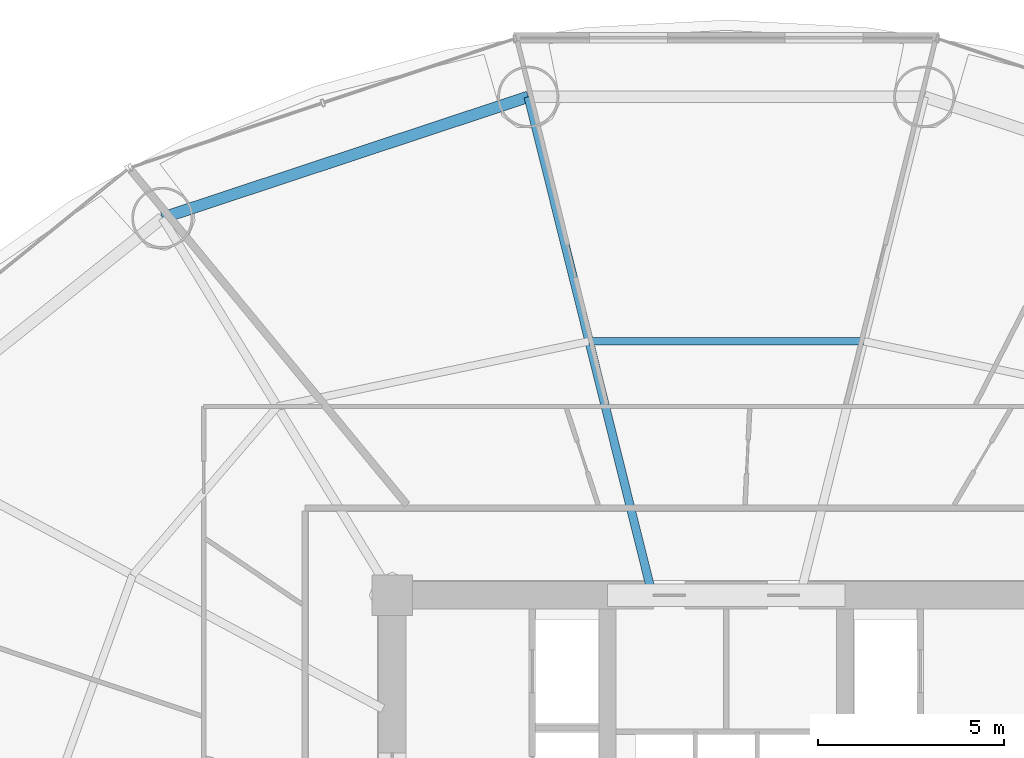
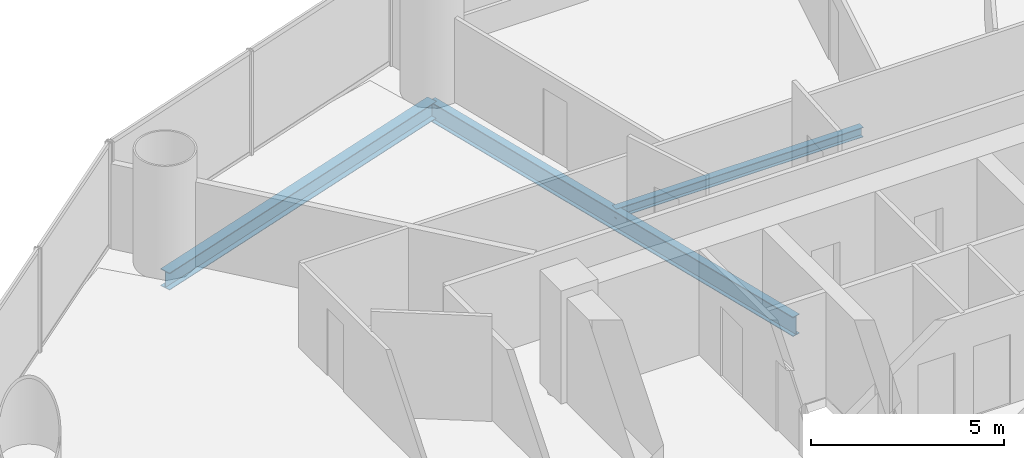
# One storey, part 15 of 28: 3 beams.
"""IFC4 building model written with IfcOpenShell, lengths in metres."""

from ifc_helpers import new_model, si_unit, direction, frame, origin, origin_2d, place, context, subcontext, project, spatial, i_section, extrude, material, material_profile, profile_set, type_object, element, save


model = new_model("IFC4")

# Units and contexts
model_context = context("Model", 3, precision=1e-05, world=origin(), true_north=direction((-0.2419218956, 0.970295726276)))
body_context = subcontext(model_context, "Body", "Model", "MODEL_VIEW")
ifc_project = project(units=[si_unit("LENGTHUNIT", "METRE"), si_unit("AREAUNIT", "SQUARE_METRE"), si_unit("VOLUMEUNIT", "CUBIC_METRE"), si_unit("PLANEANGLEUNIT", "RADIAN"), si_unit("MASSUNIT", "GRAM", prefix="KILO")], contexts=[model_context])

# Site, building, storey
site_placement = place(None, origin())
site = spatial("IfcSite", under=ifc_project, at=site_placement, CompositionType="ELEMENT")
building_placement = place(site_placement, origin())
building = spatial("IfcBuilding", under=site, at=building_placement, Name="Cobrevalo Terracotta Tower", CompositionType="ELEMENT")
storey_placement = place(building_placement, frame((0.0, 0.0, 34.800048828125)))
storey = spatial("IfcBuildingStorey", under=building, at=storey_placement, Name="L08", CompositionType="ELEMENT", Elevation=34.800048828125)

# Beams
ifc_material = material(Name="Steel S355", Category="steel")
ifc_material_profile_1 = material_profile(ifc_material, i_section(OverallWidth=0.22998046875, OverallDepth=0.616943359375, WebThickness=0.01318359375, FlangeThickness=0.022216796875, at=origin_2d()), Name="W 610x140")
ifc_profile_set_1 = profile_set([ifc_material_profile_1], Name="Steel S355")
beam_type_1 = type_object("IfcBeamType", Name="Structural Beam W 610x140 (Steel S355)", PredefinedType="BEAM", material=ifc_profile_set_1)
beam_1_placement = place(storey_placement, frame((32.664306640625, 48.230224609375, -0.588623046875), z_axis=(0.241596254786, -0.970376859614, 0.0), x_axis=(0.970376859614, 0.241596254786, 0.0)))
element("IfcBeam", 1, at=beam_1_placement, inside=storey, type_object=beam_type_1, Name="L08 radial floor girder 05", PredefinedType="BEAM", context=body_context, shape_type="SweptSolid", body=[
    extrude(i_section(OverallWidth=0.22998046875, OverallDepth=0.616943359375, WebThickness=0.01318359375, FlangeThickness=0.022216796875, at=origin_2d()), origin(), (0.0, 0.0, 1.0), 13.577392578125),
])
ifc_material_profile_2 = material_profile(ifc_material, i_section(OverallWidth=0.2041015625, OverallDepth=0.305908203125, WebThickness=0.008544921875, FlangeThickness=0.0146484375, at=origin_2d()), Name="W 310x67")
ifc_profile_set_2 = profile_set([ifc_material_profile_2], Name="Steel S355")
beam_type_2 = type_object("IfcBeamType", Name="Structural Joist W 310x67 (Steel S355)", PredefinedType="JOIST", material=ifc_profile_set_2)
beam_2_placement = place(storey_placement, frame((41.695556640625, 41.642578125, -0.43310546875), z_axis=(-1.0, 0.0, 0.0), x_axis=(0.0, -1.0, 0.0)))
element("IfcBeam", 2, at=beam_2_placement, inside=storey, type_object=beam_type_2, Name="L08 circumferential secondary floor joist 04", PredefinedType="JOIST", context=body_context, shape_type="SweptSolid", body=[
    extrude(i_section(OverallWidth=0.2041015625, OverallDepth=0.305908203125, WebThickness=0.008544921875, FlangeThickness=0.0146484375, at=origin_2d()), origin(), (0.0, 0.0, 1.0), 7.39111328125),
])
ifc_material_profile_3 = material_profile(ifc_material, i_section(OverallWidth=0.31201171875, OverallDepth=0.54296875, WebThickness=0.0126953125, FlangeThickness=0.020263671875, at=origin_2d()), Name="W 530x150")
ifc_profile_set_3 = profile_set([ifc_material_profile_3], Name="Steel S355")
beam_type_3 = type_object("IfcBeamType", Name="Structural Spandrel W 530x150 (Steel S355)", PredefinedType="SPANDREL", material=ifc_profile_set_3)
beam_3_placement = place(storey_placement, frame((32.664306640625, 48.230224609375, -0.551513671875), z_axis=(-0.949365190876, -0.314174687638, 0.0), x_axis=(0.314174687638, -0.949365190876, 0.0)))
element("IfcBeam", 3, at=beam_3_placement, inside=storey, type_object=beam_type_3, Name="L08 perimeter ring spandrel 05", PredefinedType="SPANDREL", context=body_context, shape_type="SweptSolid", body=[
    extrude(i_section(OverallWidth=0.31201171875, OverallDepth=0.54296875, WebThickness=0.0126953125, FlangeThickness=0.020263671875, at=origin_2d()), origin(), (0.0, 0.0, 1.0), 10.385009765625),
])

save(model, "model.ifc")
